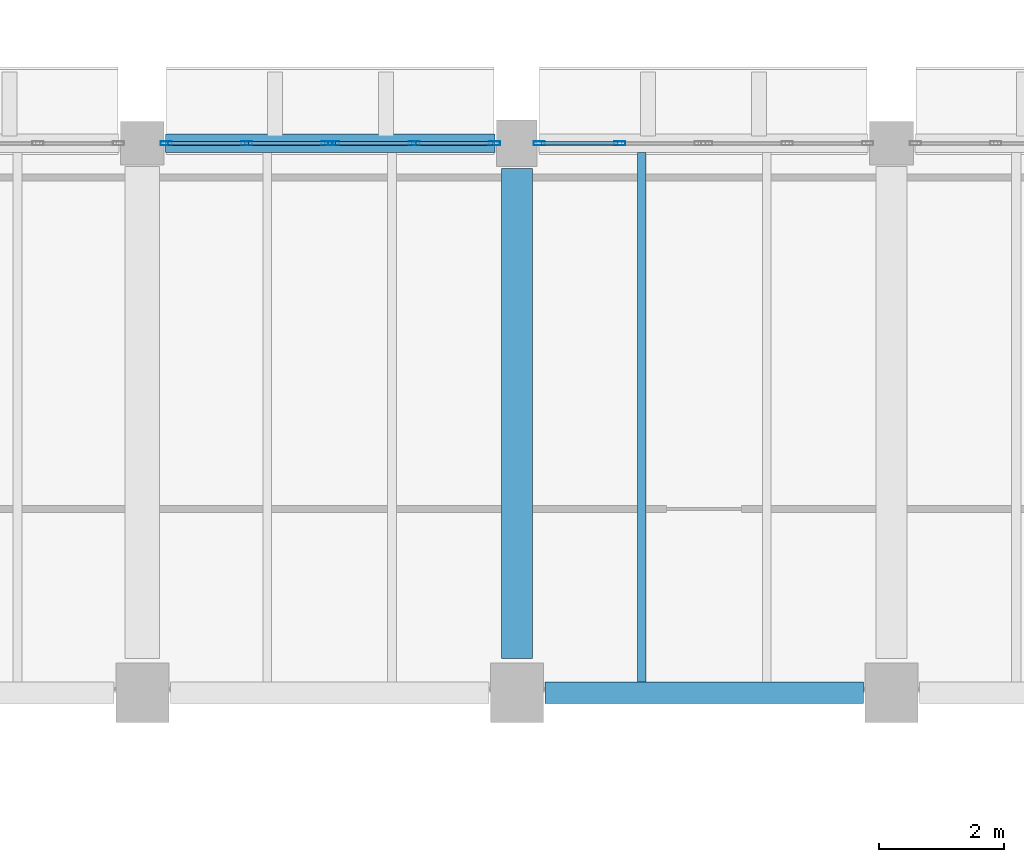
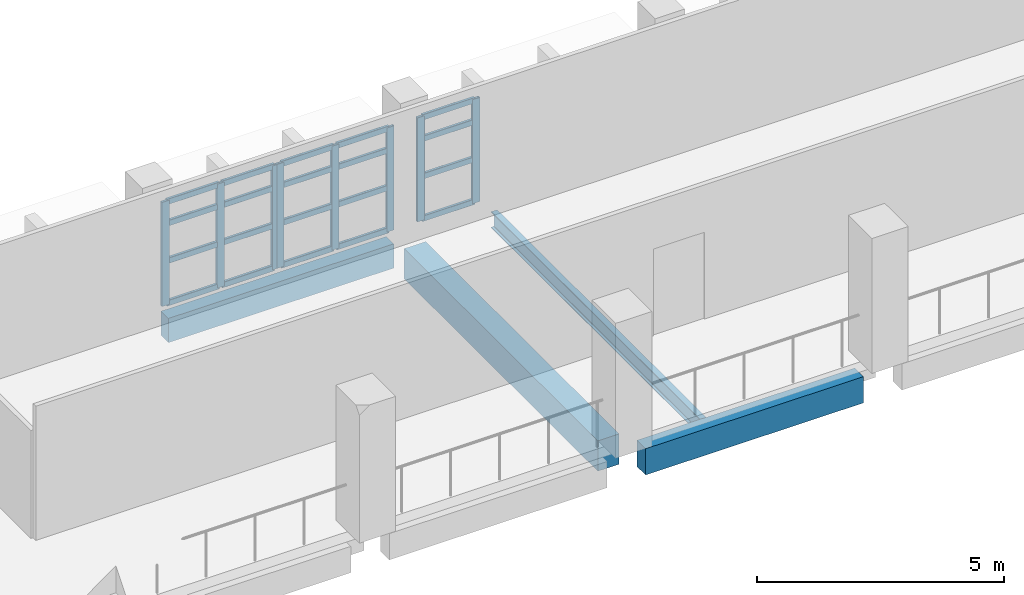
# One storey, part 33 of 75: 28 members, 4 beams, 3 elements without a shape of their own.
"""IFC4 building model written with IfcOpenShell, lengths in metres."""

from ifc_helpers import new_model, si_unit, direction, frame, origin, origin_2d, place, context, subcontext, project, spatial, rectangle, hollow_rectangle, i_section, extrude, material, material_profile, profile_set, type_object, element, aggregate, save


model = new_model("IFC4")

# Units and contexts
model_context = context("Model", 3, precision=1e-05, world=origin(), true_north=direction((0.0, 1.0)))
body_context = subcontext(model_context, "Body", "Model", "MODEL_VIEW")
ifc_project = project(units=[si_unit("LENGTHUNIT", "METRE"), si_unit("AREAUNIT", "SQUARE_METRE"), si_unit("VOLUMEUNIT", "CUBIC_METRE"), si_unit("PLANEANGLEUNIT", "RADIAN"), si_unit("MASSUNIT", "GRAM", prefix="KILO")], contexts=[model_context])

# Site, building, storey
site_placement = place(None, origin())
site = spatial("IfcSite", under=ifc_project, at=site_placement, CompositionType="ELEMENT")
building_placement = place(site_placement, origin())
building = spatial("IfcBuilding", under=site, at=building_placement, Name="Varnakota Cinema and Media Centre", CompositionType="ELEMENT")
storey_placement = place(building_placement, frame((0.0, 0.0, 8.39990234375)))
storey = spatial("IfcBuildingStorey", under=building, at=storey_placement, Name="L02", CompositionType="ELEMENT", Elevation=8.39990234375)

# Beams
ifc_material_1 = material(Name="Concrete M35", Category="concrete")
ifc_material_profile_1 = material_profile(ifc_material_1, rectangle(XDim=0.5, YDim=0.75, at=origin_2d()), Name="RCB 500x750")
ifc_profile_set_1 = profile_set([ifc_material_profile_1], Name="Concrete M35")
beam_type_1 = type_object("IfcBeamType", Name="BM-RC-500x750", PredefinedType="BEAM", material=ifc_profile_set_1)
beam_1_placement = place(storey_placement, frame((93.0, 35.75, -0.625), z_axis=(0.0, 1.0, 0.0), x_axis=(-1.0, 0.0, 0.0)))
element("IfcBeam", 1, at=beam_1_placement, inside=storey, type_object=beam_type_1, Name="L02 girder N/5-6", PredefinedType="BEAM", context=body_context, shape_type="SweptSolid", body=[
    extrude(rectangle(XDim=0.5, YDim=0.75, at=origin_2d()), origin(), (0.0, 0.0, 1.0), 7.85009765625),
])
ifc_material_2 = material(Name="Concrete M35", Category="concrete")
ifc_material_profile_2 = material_profile(ifc_material_2, rectangle(XDim=0.300048828125, YDim=0.60009765625, at=origin_2d()), Name="RCB 300x600")
ifc_profile_set_2 = profile_set([ifc_material_profile_2], Name="Concrete M35")
beam_type_2 = type_object("IfcBeamType", Name="BM-SP-300x600", PredefinedType="SPANDREL", material=ifc_profile_set_2)
beam_2_placement = place(storey_placement, frame((87.375, 44.0, -0.5498046875), z_axis=(1.0, 0.0, 0.0), x_axis=(0.0, 1.0, 0.0)))
element("IfcBeam", 2, at=beam_2_placement, inside=storey, type_object=beam_type_2, Name="L02 girder M-N/6", PredefinedType="SPANDREL", context=body_context, shape_type="SweptSolid", body=[
    extrude(rectangle(XDim=0.300048828125, YDim=0.60009765625, at=origin_2d()), origin(), (0.0, 0.0, 1.0), 5.27490234375),
])
ifc_material_3 = material(Name="Concrete M40", Category="concrete")
ifc_material_profile_3 = material_profile(ifc_material_3, rectangle(XDim=0.35009765625, YDim=0.64990234375, at=origin_2d()), Name="RCB 350x650")
ifc_profile_set_3 = profile_set([ifc_material_profile_3], Name="Concrete M40")
beam_type_3 = type_object("IfcBeamType", Name="BM-SP-350x650", PredefinedType="SPANDREL", material=ifc_profile_set_3)
beam_3_placement = place(storey_placement, frame((93.449951171875, 35.199951171875, -0.574951171875), z_axis=(1.0, 0.0, 0.0), x_axis=(0.0, 1.0, 0.0)))
element("IfcBeam", 3, at=beam_3_placement, inside=storey, type_object=beam_type_3, Name="L02 girder N-P/5", PredefinedType="SPANDREL", context=body_context, shape_type="SweptSolid", body=[
    extrude(rectangle(XDim=0.35009765625, YDim=0.64990234375, at=origin_2d()), origin(), (0.0, 0.0, 1.0), 5.10009765625),
])
ifc_material_4 = material(Name="Structural steel Grade 350 (E350)", Category="steel")
ifc_material_profile_4 = material_profile(ifc_material_4, i_section(OverallWidth=0.139892578125, OverallDepth=0.39990234375, WebThickness=0.0087890625, FlangeThickness=0.01611328125, FilletRadius=0.013916015625, at=origin_2d()), Name="ISMB 400")
ifc_profile_set_4 = profile_set([ifc_material_profile_4], Name="Structural steel Grade 350 (E350)")
beam_type_4 = type_object("IfcBeamType", Name="BM-ST-ISMB400", PredefinedType="JOIST", material=ifc_profile_set_4)
beam_4_placement = place(storey_placement, frame((95.0, 35.375, -0.449951171875), z_axis=(0.0, 1.0, 0.0), x_axis=(-1.0, 0.0, 0.0)))
element("IfcBeam", 4, at=beam_4_placement, inside=storey, type_object=beam_type_4, Name="L02 steel joist N-P/5-6 #1", PredefinedType="JOIST", context=body_context, shape_type="SweptSolid", body=[
    extrude(i_section(OverallWidth=0.139892578125, OverallDepth=0.39990234375, WebThickness=0.0087890625, FlangeThickness=0.01611328125, FilletRadius=0.013916015625, at=origin_2d()), origin(), (0.0, 0.0, 1.0), 8.47509765625),
])

# Curtain wall, members
ifc_material_5 = material(Name="Thermally broken anodised aluminium AW-6063", Category="aluminium")
curtain_wall_type = type_object("IfcCurtainWallType", Name="CW-STD-264x258", PredefinedType="USERDEFINED", material=ifc_material_5)
curtain_wall_1_placement = place(storey_placement, origin())
curtain_wall_1 = element("IfcCurtainWall", 5, at=curtain_wall_1_placement, inside=storey, type_object=curtain_wall_type, Name="L02 curtain wall CW-L02-V1-N-03-1", ObjectType="UNITISED CURTAIN WALL", PredefinedType="USERDEFINED")
ifc_material_6 = material(Name="Thermally broken anodised aluminium AW-6063", Category="aluminium")
ifc_material_profile_5 = material_profile(ifc_material_6, hollow_rectangle(XDim=0.06494140625, YDim=0.179931640625, WallThickness=0.00390625, InnerFilletRadius=0.00390625, OuterFilletRadius=0.008056640625, at=origin_2d()), Name="AL-MULLION 180x65x4")
ifc_profile_set_5 = profile_set([ifc_material_profile_5], Name="Thermally broken anodised aluminium AW-6063")
member_type_1 = type_object("IfcMemberType", Name="CWM-AL-180", PredefinedType="MULLION", material=ifc_profile_set_5)
member_1_placement = place(storey_placement, frame((87.382568359375, 44.0, 0.0), z_axis=(0.0, 0.0, 1.0), x_axis=(0.0, 1.0, 0.0)))
member_1 = element("IfcMember", 6, at=member_1_placement, type_object=member_type_1, Name="CW29 mullion 1", PredefinedType="MULLION", context=body_context, shape_type="SweptSolid", body=[
    extrude(hollow_rectangle(XDim=0.06494140625, YDim=0.179931640625, WallThickness=0.00390625, InnerFilletRadius=0.00390625, OuterFilletRadius=0.008056640625, at=origin_2d()), origin(), (0.0, 0.0, 1.0), 2.5751953125),
])
member_2_placement = place(storey_placement, frame((88.671142578125, 44.0, 0.0), z_axis=(0.0, 0.0, 1.0), x_axis=(0.0, 1.0, 0.0)))
member_2 = element("IfcMember", 7, at=member_2_placement, type_object=member_type_1, Name="CW29 mullion 2", PredefinedType="MULLION", context=body_context, shape_type="SweptSolid", body=[
    extrude(hollow_rectangle(XDim=0.06494140625, YDim=0.179931640625, WallThickness=0.00390625, InnerFilletRadius=0.00390625, OuterFilletRadius=0.008056640625, at=origin_2d()), origin(), (0.0, 0.0, 1.0), 2.5751953125),
])
member_3_placement = place(storey_placement, frame((89.9599609375, 44.0, 0.0), z_axis=(0.0, 0.0, 1.0), x_axis=(0.0, 1.0, 0.0)))
member_3 = element("IfcMember", 8, at=member_3_placement, type_object=member_type_1, Name="CW29 mullion 3", PredefinedType="MULLION", context=body_context, shape_type="SweptSolid", body=[
    extrude(hollow_rectangle(XDim=0.06494140625, YDim=0.179931640625, WallThickness=0.00390625, InnerFilletRadius=0.00390625, OuterFilletRadius=0.008056640625, at=origin_2d()), origin(), (0.0, 0.0, 1.0), 2.5751953125),
])

curtain_wall_2_placement = place(storey_placement, origin())
curtain_wall_2 = element("IfcCurtainWall", 9, at=curtain_wall_2_placement, inside=storey, type_object=curtain_wall_type, Name="L02 curtain wall CW-L02-V1-N-03-2", ObjectType="UNITISED CURTAIN WALL", PredefinedType="USERDEFINED")
member_4_placement = place(storey_placement, frame((90.06494140625, 44.0, 0.0), z_axis=(0.0, 0.0, 1.0), x_axis=(0.0, 1.0, 0.0)))
member_4 = element("IfcMember", 10, at=member_4_placement, type_object=member_type_1, Name="CW29 mullion 1", PredefinedType="MULLION", context=body_context, shape_type="SweptSolid", body=[
    extrude(hollow_rectangle(XDim=0.06494140625, YDim=0.179931640625, WallThickness=0.00390625, InnerFilletRadius=0.00390625, OuterFilletRadius=0.008056640625, at=origin_2d()), origin(), (0.0, 0.0, 1.0), 2.5751953125),
])
member_5_placement = place(storey_placement, frame((91.353759765625, 44.0, 0.0), z_axis=(0.0, 0.0, 1.0), x_axis=(0.0, 1.0, 0.0)))
member_5 = element("IfcMember", 11, at=member_5_placement, type_object=member_type_1, Name="CW29 mullion 2", PredefinedType="MULLION", context=body_context, shape_type="SweptSolid", body=[
    extrude(hollow_rectangle(XDim=0.06494140625, YDim=0.179931640625, WallThickness=0.00390625, InnerFilletRadius=0.00390625, OuterFilletRadius=0.008056640625, at=origin_2d()), origin(), (0.0, 0.0, 1.0), 2.5751953125),
])
member_6_placement = place(storey_placement, frame((92.642578125, 44.0, 0.0), z_axis=(0.0, 0.0, 1.0), x_axis=(0.0, 1.0, 0.0)))
member_6 = element("IfcMember", 12, at=member_6_placement, type_object=member_type_1, Name="CW29 mullion 3", PredefinedType="MULLION", context=body_context, shape_type="SweptSolid", body=[
    extrude(hollow_rectangle(XDim=0.06494140625, YDim=0.179931640625, WallThickness=0.00390625, InnerFilletRadius=0.00390625, OuterFilletRadius=0.008056640625, at=origin_2d()), origin(), (0.0, 0.0, 1.0), 2.5751953125),
])

curtain_wall_3_placement = place(storey_placement, origin())
curtain_wall_3 = element("IfcCurtainWall", 13, at=curtain_wall_3_placement, inside=storey, type_object=curtain_wall_type, Name="L02 curtain wall CW-L02-V1-N-04-1", ObjectType="UNITISED CURTAIN WALL", PredefinedType="USERDEFINED")
member_7_placement = place(storey_placement, frame((93.357421875, 44.0, 0.0), z_axis=(0.0, 0.0, 1.0), x_axis=(0.0, 1.0, 0.0)))
member_7 = element("IfcMember", 14, at=member_7_placement, type_object=member_type_1, Name="CW29 mullion 1", PredefinedType="MULLION", context=body_context, shape_type="SweptSolid", body=[
    extrude(hollow_rectangle(XDim=0.06494140625, YDim=0.179931640625, WallThickness=0.00390625, InnerFilletRadius=0.00390625, OuterFilletRadius=0.008056640625, at=origin_2d()), origin(), (0.0, 0.0, 1.0), 2.5751953125),
])
member_8_placement = place(storey_placement, frame((94.646240234375, 44.0, 0.0), z_axis=(0.0, 0.0, 1.0), x_axis=(0.0, 1.0, 0.0)))
member_8 = element("IfcMember", 15, at=member_8_placement, type_object=member_type_1, Name="CW29 mullion 2", PredefinedType="MULLION", context=body_context, shape_type="SweptSolid", body=[
    extrude(hollow_rectangle(XDim=0.06494140625, YDim=0.179931640625, WallThickness=0.00390625, InnerFilletRadius=0.00390625, OuterFilletRadius=0.008056640625, at=origin_2d()), origin(), (0.0, 0.0, 1.0), 2.5751953125),
])

# Member
ifc_material_7 = material(Name="Thermally broken anodised aluminium AW-6063", Category="aluminium")
ifc_material_profile_6 = material_profile(ifc_material_7, hollow_rectangle(XDim=0.06494140625, YDim=0.139892578125, WallThickness=0.00390625, InnerFilletRadius=0.00390625, OuterFilletRadius=0.008056640625, at=origin_2d()), Name="AL-TRANSOM 140x65x4")
ifc_profile_set_6 = profile_set([ifc_material_profile_6], Name="Thermally broken anodised aluminium AW-6063")
member_type_2 = type_object("IfcMemberType", Name="CWT-AL-140", PredefinedType="USERDEFINED", material=ifc_profile_set_6)
member_9_placement = place(storey_placement, frame((87.4150390625, 44.0, 0.03271484375), z_axis=(1.0, 0.0, 0.0), x_axis=(0.0, 1.0, 0.0)))
member_9 = element("IfcMember", 16, at=member_9_placement, type_object=member_type_2, Name="CW29 transom 1.1", ObjectType="TRANSOM", PredefinedType="USERDEFINED", context=body_context, shape_type="SweptSolid", body=[
    extrude(hollow_rectangle(XDim=0.06494140625, YDim=0.139892578125, WallThickness=0.00390625, InnerFilletRadius=0.00390625, OuterFilletRadius=0.008056640625, at=origin_2d()), origin(), (0.0, 0.0, 1.0), 1.2236328125),
])

member_10_placement = place(storey_placement, frame((87.4150390625, 44.0, 1.08154296875), z_axis=(1.0, 0.0, 0.0), x_axis=(0.0, 1.0, 0.0)))
member_10 = element("IfcMember", 17, at=member_10_placement, type_object=member_type_2, Name="CW29 transom 1.2", ObjectType="TRANSOM", PredefinedType="USERDEFINED", context=body_context, shape_type="SweptSolid", body=[
    extrude(hollow_rectangle(XDim=0.06494140625, YDim=0.139892578125, WallThickness=0.00390625, InnerFilletRadius=0.00390625, OuterFilletRadius=0.008056640625, at=origin_2d()), origin(), (0.0, 0.0, 1.0), 1.2236328125),
])

member_11_placement = place(storey_placement, frame((87.4150390625, 44.0, 2.008544921875), z_axis=(1.0, 0.0, 0.0), x_axis=(0.0, 1.0, 0.0)))
member_11 = element("IfcMember", 18, at=member_11_placement, type_object=member_type_2, Name="CW29 transom 1.3", ObjectType="TRANSOM", PredefinedType="USERDEFINED", context=body_context, shape_type="SweptSolid", body=[
    extrude(hollow_rectangle(XDim=0.06494140625, YDim=0.139892578125, WallThickness=0.00390625, InnerFilletRadius=0.00390625, OuterFilletRadius=0.008056640625, at=origin_2d()), origin(), (0.0, 0.0, 1.0), 1.2236328125),
])

member_12_placement = place(storey_placement, frame((87.4150390625, 44.0, 2.54248046875), z_axis=(1.0, 0.0, 0.0), x_axis=(0.0, 1.0, 0.0)))
member_12 = element("IfcMember", 19, at=member_12_placement, type_object=member_type_2, Name="CW29 transom 1.4", ObjectType="TRANSOM", PredefinedType="USERDEFINED", context=body_context, shape_type="SweptSolid", body=[
    extrude(hollow_rectangle(XDim=0.06494140625, YDim=0.139892578125, WallThickness=0.00390625, InnerFilletRadius=0.00390625, OuterFilletRadius=0.008056640625, at=origin_2d()), origin(), (0.0, 0.0, 1.0), 1.2236328125),
])

member_13_placement = place(storey_placement, frame((88.703857421875, 44.0, 0.03271484375), z_axis=(1.0, 0.0, 0.0), x_axis=(0.0, 1.0, 0.0)))
member_13 = element("IfcMember", 20, at=member_13_placement, type_object=member_type_2, Name="CW29 transom 2.1", ObjectType="TRANSOM", PredefinedType="USERDEFINED", context=body_context, shape_type="SweptSolid", body=[
    extrude(hollow_rectangle(XDim=0.06494140625, YDim=0.139892578125, WallThickness=0.00390625, InnerFilletRadius=0.00390625, OuterFilletRadius=0.008056640625, at=origin_2d()), origin(), (0.0, 0.0, 1.0), 1.2236328125),
])

member_14_placement = place(storey_placement, frame((88.703857421875, 44.0, 1.08154296875), z_axis=(1.0, 0.0, 0.0), x_axis=(0.0, 1.0, 0.0)))
member_14 = element("IfcMember", 21, at=member_14_placement, type_object=member_type_2, Name="CW29 transom 2.2", ObjectType="TRANSOM", PredefinedType="USERDEFINED", context=body_context, shape_type="SweptSolid", body=[
    extrude(hollow_rectangle(XDim=0.06494140625, YDim=0.139892578125, WallThickness=0.00390625, InnerFilletRadius=0.00390625, OuterFilletRadius=0.008056640625, at=origin_2d()), origin(), (0.0, 0.0, 1.0), 1.2236328125),
])

member_15_placement = place(storey_placement, frame((88.703857421875, 44.0, 2.008544921875), z_axis=(1.0, 0.0, 0.0), x_axis=(0.0, 1.0, 0.0)))
member_15 = element("IfcMember", 22, at=member_15_placement, type_object=member_type_2, Name="CW29 transom 2.3", ObjectType="TRANSOM", PredefinedType="USERDEFINED", context=body_context, shape_type="SweptSolid", body=[
    extrude(hollow_rectangle(XDim=0.06494140625, YDim=0.139892578125, WallThickness=0.00390625, InnerFilletRadius=0.00390625, OuterFilletRadius=0.008056640625, at=origin_2d()), origin(), (0.0, 0.0, 1.0), 1.2236328125),
])

member_16_placement = place(storey_placement, frame((88.703857421875, 44.0, 2.54248046875), z_axis=(1.0, 0.0, 0.0), x_axis=(0.0, 1.0, 0.0)))
member_16 = element("IfcMember", 23, at=member_16_placement, type_object=member_type_2, Name="CW29 transom 2.4", ObjectType="TRANSOM", PredefinedType="USERDEFINED", context=body_context, shape_type="SweptSolid", body=[
    extrude(hollow_rectangle(XDim=0.06494140625, YDim=0.139892578125, WallThickness=0.00390625, InnerFilletRadius=0.00390625, OuterFilletRadius=0.008056640625, at=origin_2d()), origin(), (0.0, 0.0, 1.0), 1.2236328125),
])

aggregate(curtain_wall_1, [member_1, member_2, member_3, member_9, member_10, member_11, member_12, member_13, member_14, member_15, member_16])

member_17_placement = place(storey_placement, frame((90.097412109375, 44.0, 0.03271484375), z_axis=(1.0, 0.0, 0.0), x_axis=(0.0, 1.0, 0.0)))
member_17 = element("IfcMember", 24, at=member_17_placement, type_object=member_type_2, Name="CW29 transom 1.1", ObjectType="TRANSOM", PredefinedType="USERDEFINED", context=body_context, shape_type="SweptSolid", body=[
    extrude(hollow_rectangle(XDim=0.06494140625, YDim=0.139892578125, WallThickness=0.00390625, InnerFilletRadius=0.00390625, OuterFilletRadius=0.008056640625, at=origin_2d()), origin(), (0.0, 0.0, 1.0), 1.223876953125),
])

member_18_placement = place(storey_placement, frame((90.097412109375, 44.0, 1.08154296875), z_axis=(1.0, 0.0, 0.0), x_axis=(0.0, 1.0, 0.0)))
member_18 = element("IfcMember", 25, at=member_18_placement, type_object=member_type_2, Name="CW29 transom 1.2", ObjectType="TRANSOM", PredefinedType="USERDEFINED", context=body_context, shape_type="SweptSolid", body=[
    extrude(hollow_rectangle(XDim=0.06494140625, YDim=0.139892578125, WallThickness=0.00390625, InnerFilletRadius=0.00390625, OuterFilletRadius=0.008056640625, at=origin_2d()), origin(), (0.0, 0.0, 1.0), 1.223876953125),
])

member_19_placement = place(storey_placement, frame((90.097412109375, 44.0, 2.008544921875), z_axis=(1.0, 0.0, 0.0), x_axis=(0.0, 1.0, 0.0)))
member_19 = element("IfcMember", 26, at=member_19_placement, type_object=member_type_2, Name="CW29 transom 1.3", ObjectType="TRANSOM", PredefinedType="USERDEFINED", context=body_context, shape_type="SweptSolid", body=[
    extrude(hollow_rectangle(XDim=0.06494140625, YDim=0.139892578125, WallThickness=0.00390625, InnerFilletRadius=0.00390625, OuterFilletRadius=0.008056640625, at=origin_2d()), origin(), (0.0, 0.0, 1.0), 1.223876953125),
])

member_20_placement = place(storey_placement, frame((90.097412109375, 44.0, 2.54248046875), z_axis=(1.0, 0.0, 0.0), x_axis=(0.0, 1.0, 0.0)))
member_20 = element("IfcMember", 27, at=member_20_placement, type_object=member_type_2, Name="CW29 transom 1.4", ObjectType="TRANSOM", PredefinedType="USERDEFINED", context=body_context, shape_type="SweptSolid", body=[
    extrude(hollow_rectangle(XDim=0.06494140625, YDim=0.139892578125, WallThickness=0.00390625, InnerFilletRadius=0.00390625, OuterFilletRadius=0.008056640625, at=origin_2d()), origin(), (0.0, 0.0, 1.0), 1.223876953125),
])

member_21_placement = place(storey_placement, frame((91.38623046875, 44.0, 0.03271484375), z_axis=(1.0, 0.0, 0.0), x_axis=(0.0, 1.0, 0.0)))
member_21 = element("IfcMember", 28, at=member_21_placement, type_object=member_type_2, Name="CW29 transom 2.1", ObjectType="TRANSOM", PredefinedType="USERDEFINED", context=body_context, shape_type="SweptSolid", body=[
    extrude(hollow_rectangle(XDim=0.06494140625, YDim=0.139892578125, WallThickness=0.00390625, InnerFilletRadius=0.00390625, OuterFilletRadius=0.008056640625, at=origin_2d()), origin(), (0.0, 0.0, 1.0), 1.223876953125),
])

member_22_placement = place(storey_placement, frame((91.38623046875, 44.0, 1.08154296875), z_axis=(1.0, 0.0, 0.0), x_axis=(0.0, 1.0, 0.0)))
member_22 = element("IfcMember", 29, at=member_22_placement, type_object=member_type_2, Name="CW29 transom 2.2", ObjectType="TRANSOM", PredefinedType="USERDEFINED", context=body_context, shape_type="SweptSolid", body=[
    extrude(hollow_rectangle(XDim=0.06494140625, YDim=0.139892578125, WallThickness=0.00390625, InnerFilletRadius=0.00390625, OuterFilletRadius=0.008056640625, at=origin_2d()), origin(), (0.0, 0.0, 1.0), 1.223876953125),
])

member_23_placement = place(storey_placement, frame((91.38623046875, 44.0, 2.008544921875), z_axis=(1.0, 0.0, 0.0), x_axis=(0.0, 1.0, 0.0)))
member_23 = element("IfcMember", 30, at=member_23_placement, type_object=member_type_2, Name="CW29 transom 2.3", ObjectType="TRANSOM", PredefinedType="USERDEFINED", context=body_context, shape_type="SweptSolid", body=[
    extrude(hollow_rectangle(XDim=0.06494140625, YDim=0.139892578125, WallThickness=0.00390625, InnerFilletRadius=0.00390625, OuterFilletRadius=0.008056640625, at=origin_2d()), origin(), (0.0, 0.0, 1.0), 1.223876953125),
])

member_24_placement = place(storey_placement, frame((91.38623046875, 44.0, 2.54248046875), z_axis=(1.0, 0.0, 0.0), x_axis=(0.0, 1.0, 0.0)))
member_24 = element("IfcMember", 31, at=member_24_placement, type_object=member_type_2, Name="CW29 transom 2.4", ObjectType="TRANSOM", PredefinedType="USERDEFINED", context=body_context, shape_type="SweptSolid", body=[
    extrude(hollow_rectangle(XDim=0.06494140625, YDim=0.139892578125, WallThickness=0.00390625, InnerFilletRadius=0.00390625, OuterFilletRadius=0.008056640625, at=origin_2d()), origin(), (0.0, 0.0, 1.0), 1.223876953125),
])

aggregate(curtain_wall_2, [member_4, member_5, member_6, member_17, member_18, member_19, member_20, member_21, member_22, member_23, member_24])

member_25_placement = place(storey_placement, frame((93.389892578125, 44.0, 0.03271484375), z_axis=(1.0, 0.0, 0.0), x_axis=(0.0, 1.0, 0.0)))
member_25 = element("IfcMember", 32, at=member_25_placement, type_object=member_type_2, Name="CW29 transom 1.1", ObjectType="TRANSOM", PredefinedType="USERDEFINED", context=body_context, shape_type="SweptSolid", body=[
    extrude(hollow_rectangle(XDim=0.06494140625, YDim=0.139892578125, WallThickness=0.00390625, InnerFilletRadius=0.00390625, OuterFilletRadius=0.008056640625, at=origin_2d()), origin(), (0.0, 0.0, 1.0), 1.223876953125),
])

member_26_placement = place(storey_placement, frame((93.389892578125, 44.0, 1.08154296875), z_axis=(1.0, 0.0, 0.0), x_axis=(0.0, 1.0, 0.0)))
member_26 = element("IfcMember", 33, at=member_26_placement, type_object=member_type_2, Name="CW29 transom 1.2", ObjectType="TRANSOM", PredefinedType="USERDEFINED", context=body_context, shape_type="SweptSolid", body=[
    extrude(hollow_rectangle(XDim=0.06494140625, YDim=0.139892578125, WallThickness=0.00390625, InnerFilletRadius=0.00390625, OuterFilletRadius=0.008056640625, at=origin_2d()), origin(), (0.0, 0.0, 1.0), 1.223876953125),
])

member_27_placement = place(storey_placement, frame((93.389892578125, 44.0, 2.008544921875), z_axis=(1.0, 0.0, 0.0), x_axis=(0.0, 1.0, 0.0)))
member_27 = element("IfcMember", 34, at=member_27_placement, type_object=member_type_2, Name="CW29 transom 1.3", ObjectType="TRANSOM", PredefinedType="USERDEFINED", context=body_context, shape_type="SweptSolid", body=[
    extrude(hollow_rectangle(XDim=0.06494140625, YDim=0.139892578125, WallThickness=0.00390625, InnerFilletRadius=0.00390625, OuterFilletRadius=0.008056640625, at=origin_2d()), origin(), (0.0, 0.0, 1.0), 1.223876953125),
])

member_28_placement = place(storey_placement, frame((93.389892578125, 44.0, 2.54248046875), z_axis=(1.0, 0.0, 0.0), x_axis=(0.0, 1.0, 0.0)))
member_28 = element("IfcMember", 35, at=member_28_placement, type_object=member_type_2, Name="CW29 transom 1.4", ObjectType="TRANSOM", PredefinedType="USERDEFINED", context=body_context, shape_type="SweptSolid", body=[
    extrude(hollow_rectangle(XDim=0.06494140625, YDim=0.139892578125, WallThickness=0.00390625, InnerFilletRadius=0.00390625, OuterFilletRadius=0.008056640625, at=origin_2d()), origin(), (0.0, 0.0, 1.0), 1.223876953125),
])

aggregate(curtain_wall_3, [member_7, member_8, member_25, member_26, member_27, member_28])

save(model, "model.ifc")
